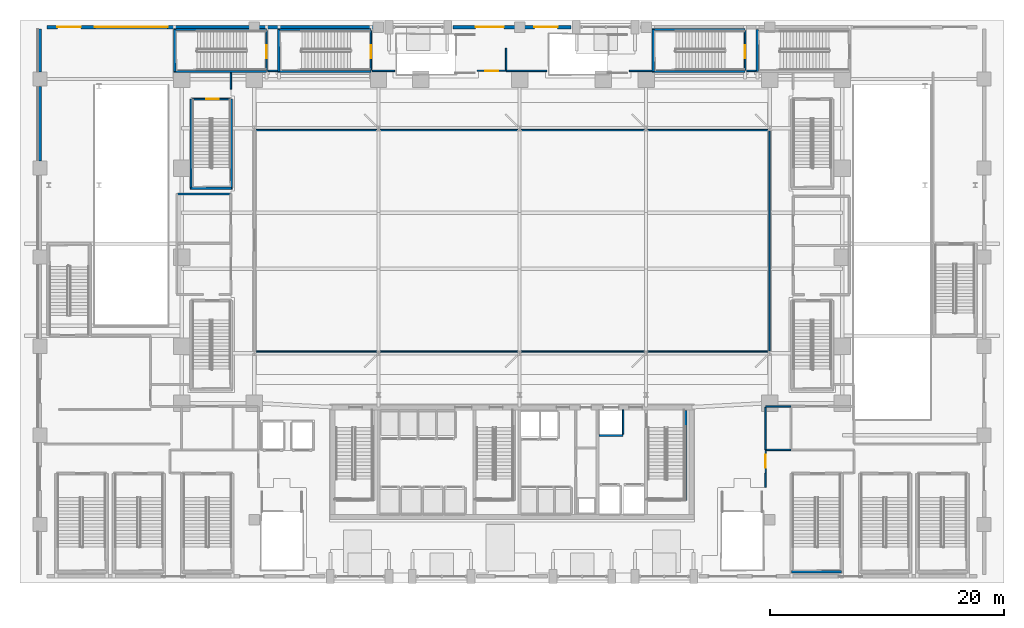
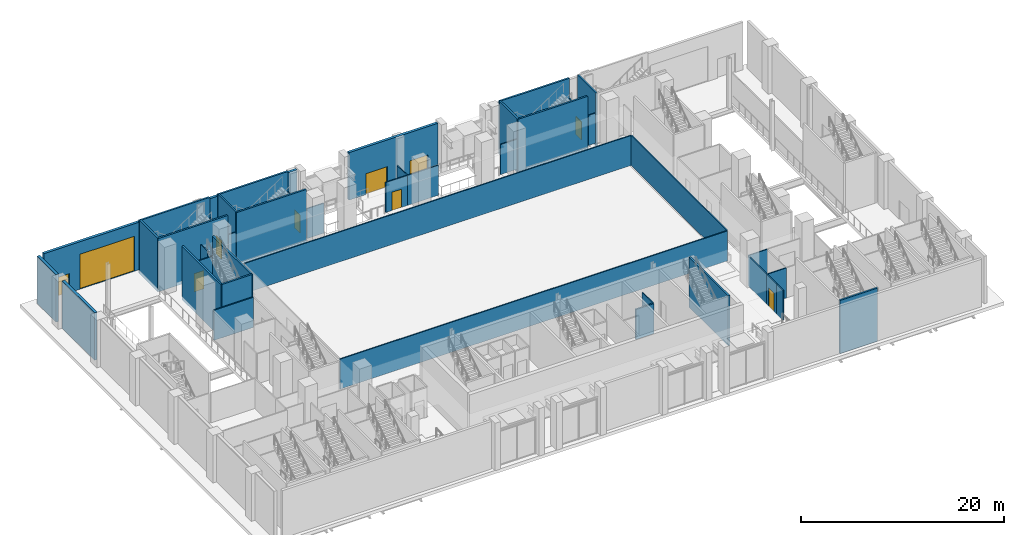
# One storey, part 21 of 36: 42 walls, 10 doors, 10 openings.
"""IFC4 building model written with IfcOpenShell, lengths in metres."""

from ifc_helpers import new_model, si_unit, direction, frame, frame_2d, origin, place, context, subcontext, project, spatial, rectangle, extrude, material, layer, layer_set, type_object, element, fill, save


model = new_model("IFC4")

# Units and contexts
model_context = context("Model", 3, precision=1e-05, world=origin(), true_north=direction((0.0, 1.0)))
body_context = subcontext(model_context, "Body", "Model", "MODEL_VIEW")
ifc_project = project(units=[si_unit("LENGTHUNIT", "METRE"), si_unit("AREAUNIT", "SQUARE_METRE"), si_unit("VOLUMEUNIT", "CUBIC_METRE"), si_unit("PLANEANGLEUNIT", "RADIAN"), si_unit("MASSUNIT", "GRAM", prefix="KILO")], contexts=[model_context])

# Site, building, storey
site_placement = place(None, origin())
site = spatial("IfcSite", under=ifc_project, at=site_placement, CompositionType="ELEMENT")
building_placement = place(site_placement, origin())
building = spatial("IfcBuilding", under=site, at=building_placement, Name="Ndaravel Arena Tower", CompositionType="ELEMENT")
storey_placement = place(building_placement, origin())
storey = spatial("IfcBuildingStorey", under=building, at=storey_placement, Name="L00", CompositionType="ELEMENT", Elevation=0.0)

# Walls
ifc_material_1 = material(Name="Gypsum", Category="gypsum")
ifc_layer_1 = layer(ifc_material_1, 0.125)
ifc_layer_set_1 = layer_set([ifc_layer_1], Name="Gypsum")
wall_type_1 = type_object("IfcWallType", Name="WALL-PART-125", PredefinedType="PARTITIONING", material=ifc_layer_set_1)
wall_1_placement = place(storey_placement, frame((18.0, 42.14990234375, 0.0), z_axis=(0.0, 0.0, 1.0), x_axis=(0.0, 1.0, 0.0)))
element("IfcWall", 1, at=wall_1_placement, inside=storey, type_object=wall_type_1, Name="L00 Interior Partition 011", PredefinedType="PARTITIONING", context=body_context, shape_type="SweptSolid", body=[
    extrude(rectangle(XDim=1.39013671875, YDim=0.125, at=frame_2d((0.695068359375, 0.0))), origin(), (0.0, 0.0, 1.0), 3.60009765625),
])
wall_2_placement = place(storey_placement, frame((21.169921875, 43.699951171875, 0.0), z_axis=(0.0, 0.0, 1.0), x_axis=(1.0, 0.0, 0.0)))
element("IfcWall", 2, at=wall_2_placement, inside=storey, type_object=wall_type_1, Name="L00 Interior Partition 012", PredefinedType="PARTITIONING", context=body_context, shape_type="SweptSolid", body=[
    extrude(rectangle(XDim=0.81005859375, YDim=0.125, at=frame_2d((0.405029296875, 0.0))), origin(), (0.0, 0.0, 1.0), 3.60009765625),
])
wall_3_placement = place(storey_placement, frame((30.070068359375, 43.699951171875, 0.0), z_axis=(0.0, 0.0, 1.0), x_axis=(1.0, 0.0, 0.0)))
element("IfcWall", 3, at=wall_3_placement, inside=storey, type_object=wall_type_1, Name="L00 Interior Partition 013", PredefinedType="PARTITIONING", context=body_context, shape_type="SweptSolid", body=[
    extrude(rectangle(XDim=1.909912109375, YDim=0.125, at=frame_2d((0.955078125, 0.0))), origin(), (0.0, 0.0, 1.0), 3.60009765625),
])

# Wall, opening, door
wall_4_placement = place(storey_placement, frame((39.02001953125, 43.699951171875, 0.0), z_axis=(0.0, 0.0, 1.0), x_axis=(1.0, 0.0, 0.0)))
wall_4 = element("IfcWall", 4, at=wall_4_placement, inside=storey, type_object=wall_type_1, Name="L00 Interior Partition 014", PredefinedType="PARTITIONING", context=body_context, shape_type="SweptSolid", body=[
    extrude(rectangle(XDim=2.47998046875, YDim=0.125, at=frame_2d((1.239990234375, 0.0))), origin(), (0.0, 0.0, 1.0), 3.60009765625),
])
opening_1_placement = place(wall_4_placement, frame((0.68994140625, 0.0, 0.0)))
opening_1 = element("IfcOpeningElement", 5, at=opening_1_placement, cuts=wall_4, Name="Opening FD-01", PredefinedType="OPENING", context=body_context, shape_type="SweptSolid", body=[
    extrude(rectangle(XDim=1.10009765625, YDim=2.199951171875, at=frame_2d((0.550048828125, 1.10009765625))), frame((0.0, 0.0625, 0.0), z_axis=(0.0, -1.0, 0.0), x_axis=(1.0, 0.0, 0.0)), (0.0, 0.0, 1.0), 0.125),
])
ifc_material_2 = material(Name="Steel S355", Category="steel")
door_type_1 = type_object("IfcDoorType", Name="DT-01-STAIR-1100", OperationType="SINGLE_SWING_LEFT", PredefinedType="DOOR", material=ifc_material_2)
door_1_placement = place(opening_1_placement, origin())
door_1 = element("IfcDoor", 6, at=door_1_placement, inside=storey, type_object=door_type_1, Name="L00 Protected Exit Passageway North-Central Door", OperationType="SINGLE_SWING_LEFT", OverallHeight=2.199951171875, OverallWidth=1.10009765625, PredefinedType="DOOR", context=body_context, shape_type="SweptSolid", body=[
    extrude(rectangle(XDim=1.10009765625, YDim=2.199951171875, at=frame_2d((0.550048828125, 1.10009765625))), frame((0.0, 0.02490234375, 0.0), z_axis=(0.0, -1.0, 0.0), x_axis=(1.0, 0.0, 0.0)), (0.0, 0.0, 1.0), 0.050048828125),
])
fill(opening_1, door_1)

# Walls
wall_5_placement = place(storey_placement, frame((41.5, 43.699951171875, 0.0), z_axis=(0.0, 0.0, 1.0), x_axis=(1.0, 0.0, 0.0)))
element("IfcWall", 7, at=wall_5_placement, inside=storey, type_object=wall_type_1, Name="L00 Interior Partition 015", PredefinedType="PARTITIONING", context=body_context, shape_type="SweptSolid", body=[
    extrude(rectangle(XDim=3.47998046875, YDim=0.125, at=frame_2d((1.739990234375, 0.0))), origin(), (0.0, 0.0, 1.0), 3.60009765625),
])
wall_6_placement = place(storey_placement, frame((52.02001953125, 43.699951171875, 0.0), z_axis=(0.0, 0.0, 1.0), x_axis=(1.0, 0.0, 0.0)))
element("IfcWall", 8, at=wall_6_placement, inside=storey, type_object=wall_type_1, Name="L00 Interior Partition 016", PredefinedType="PARTITIONING", context=body_context, shape_type="SweptSolid", body=[
    extrude(rectangle(XDim=1.909912109375, YDim=0.125, at=frame_2d((0.955078125, 0.0))), origin(), (0.0, 0.0, 1.0), 3.60009765625),
])
wall_7_placement = place(storey_placement, frame((62.02001953125, 43.699951171875, 0.0), z_axis=(0.0, 0.0, 1.0), x_axis=(1.0, 0.0, 0.0)))
element("IfcWall", 9, at=wall_7_placement, inside=storey, type_object=wall_type_1, Name="L00 Interior Partition 017", PredefinedType="PARTITIONING", context=body_context, shape_type="SweptSolid", body=[
    extrude(rectangle(XDim=0.81005859375, YDim=0.125, at=frame_2d((0.405029296875, 0.0))), origin(), (0.0, 0.0, 1.0), 3.60009765625),
])
wall_8_placement = place(storey_placement, frame((65.800048828125, 15.050048828125, 0.0), z_axis=(0.0, 0.0, 1.0), x_axis=(-1.0, 0.0, 0.0)))
element("IfcWall", 10, at=wall_8_placement, inside=storey, type_object=wall_type_1, Name="L00 Interior Partition 024", PredefinedType="PARTITIONING", context=body_context, shape_type="SweptSolid", body=[
    extrude(rectangle(XDim=2.150146484375, YDim=0.125, at=frame_2d((1.0751953125, 0.0))), origin(), (0.0, 0.0, 1.0), 3.60009765625),
])
wall_9_placement = place(storey_placement, frame((63.64990234375, 14.985107421875, 0.0), z_axis=(0.0, 0.0, 1.0), x_axis=(0.0, -1.0, 0.0)))
element("IfcWall", 11, at=wall_9_placement, inside=storey, type_object=wall_type_1, Name="L00 Interior Partition 025", PredefinedType="PARTITIONING", context=body_context, shape_type="SweptSolid", body=[
    extrude(rectangle(XDim=3.635009765625, YDim=0.125, at=frame_2d((1.8173828125, 0.0))), origin(), (0.0, 0.0, 1.0), 3.60009765625),
])

# Wall, opening, door
wall_10_placement = place(storey_placement, frame((63.64990234375, 11.35009765625, 0.0), z_axis=(0.0, 0.0, 1.0), x_axis=(0.0, -1.0, 0.0)))
wall_10 = element("IfcWall", 12, at=wall_10_placement, inside=storey, type_object=wall_type_1, Name="L00 Interior Partition 026", PredefinedType="PARTITIONING", context=body_context, shape_type="SweptSolid", body=[
    extrude(rectangle(XDim=1.9501953125, YDim=0.125, at=frame_2d((0.97509765625, 0.0))), origin(), (0.0, 0.0, 1.0), 3.60009765625),
])
opening_2_placement = place(wall_10_placement, frame((0.425048828125, 0.0, 0.0)))
opening_2 = element("IfcOpeningElement", 13, at=opening_2_placement, cuts=wall_10, Name="Opening FD-01", PredefinedType="OPENING", context=body_context, shape_type="SweptSolid", body=[
    extrude(rectangle(XDim=1.10009765625, YDim=2.199951171875, at=frame_2d((0.550048828125, 1.10009765625))), frame((0.0, 0.0625, 0.0), z_axis=(0.0, -1.0, 0.0), x_axis=(1.0, 0.0, 0.0)), (0.0, 0.0, 1.0), 0.125),
])
door_2_placement = place(opening_2_placement, origin())
door_2 = element("IfcDoor", 14, at=door_2_placement, inside=storey, type_object=door_type_1, Name="L00 Protected Exit Passageway South-East Door", OperationType="SINGLE_SWING_LEFT", OverallHeight=2.199951171875, OverallWidth=1.10009765625, PredefinedType="DOOR", context=body_context, shape_type="SweptSolid", body=[
    extrude(rectangle(XDim=1.10009765625, YDim=2.199951171875, at=frame_2d((0.550048828125, 1.10009765625))), frame((0.0, 0.02490234375, 0.0), z_axis=(0.0, -1.0, 0.0), x_axis=(1.0, 0.0, 0.0)), (0.0, 0.0, 1.0), 0.050048828125),
])
fill(opening_2, door_2)

# Walls
wall_11_placement = place(storey_placement, frame((63.64990234375, 9.3701171875, 0.0), z_axis=(0.0, 0.0, 1.0), x_axis=(0.0, -1.0, 0.0)))
element("IfcWall", 15, at=wall_11_placement, inside=storey, type_object=wall_type_1, Name="L00 Interior Partition 027", PredefinedType="PARTITIONING", context=body_context, shape_type="SweptSolid", body=[
    extrude(rectangle(XDim=1.22021484375, YDim=0.125, at=frame_2d((0.610107421875, 0.0))), origin(), (0.0, 0.0, 1.0), 3.60009765625),
])
wall_12_placement = place(storey_placement, frame((63.715087890625, 11.35009765625, 0.0), z_axis=(0.0, 0.0, 1.0), x_axis=(1.0, 0.0, 0.0)))
element("IfcWall", 16, at=wall_12_placement, inside=storey, type_object=wall_type_1, Name="L00 Interior Partition 034", PredefinedType="PARTITIONING", context=body_context, shape_type="SweptSolid", body=[
    extrude(rectangle(XDim=2.0849609375, YDim=0.125, at=frame_2d((1.04248046875, 0.0))), origin(), (0.0, 0.0, 1.0), 3.60009765625),
])
wall_13_placement = place(storey_placement, frame((41.5, 45.64990234375, 0.0), z_axis=(0.0, 0.0, 1.0), x_axis=(0.0, -1.0, 0.0)))
element("IfcWall", 17, at=wall_13_placement, inside=storey, type_object=wall_type_1, Name="L00 Interior Partition 043", PredefinedType="PARTITIONING", context=body_context, shape_type="SweptSolid", body=[
    extrude(rectangle(XDim=1.885009765625, YDim=0.125, at=frame_2d((0.9423828125, 0.0))), origin(), (0.0, 0.0, 1.0), 3.60009765625),
])
wall_14_placement = place(storey_placement, frame((64.0, 19.75, 0.0), z_axis=(0.0, 0.0, 1.0), x_axis=(-1.0, 0.0, 0.0)))
element("IfcWall", 18, at=wall_14_placement, inside=storey, type_object=wall_type_1, Name="L00 Interior Partition 044", PredefinedType="PARTITIONING", context=body_context, shape_type="SweptSolid", body=[
    extrude(rectangle(XDim=44.0, YDim=0.125, at=frame_2d((22.0, 0.0))), origin(), (0.0, 0.0, 1.0), 3.60009765625),
])
wall_15_placement = place(storey_placement, frame((20.06494140625, 38.64990234375, 0.0), z_axis=(0.0, 0.0, 1.0), x_axis=(1.0, 0.0, 0.0)))
element("IfcWall", 19, at=wall_15_placement, inside=storey, type_object=wall_type_1, Name="L00 Interior Partition 046", PredefinedType="PARTITIONING", context=body_context, shape_type="SweptSolid", body=[
    extrude(rectangle(XDim=43.93505859375, YDim=0.125, at=frame_2d((21.967529296875, 0.0))), origin(), (0.0, 0.0, 1.0), 3.60009765625),
])
wall_16_placement = place(storey_placement, frame((64.0, 38.5849609375, 0.0), z_axis=(0.0, 0.0, 1.0), x_axis=(0.0, -1.0, 0.0)))
element("IfcWall", 20, at=wall_16_placement, inside=storey, type_object=wall_type_1, Name="L00 Interior Partition 047", PredefinedType="PARTITIONING", context=body_context, shape_type="SweptSolid", body=[
    extrude(rectangle(XDim=18.77001953125, YDim=0.125, at=frame_2d((9.385009765625, 0.0))), origin(), (0.0, 0.0, 1.0), 3.60009765625),
])

# Wall, openings, doors
ifc_material_3 = material(Name="Masonry", Category="masonry")
ifc_layer_2 = layer(ifc_material_3, 0.300048828125)
ifc_layer_set_2 = layer_set([ifc_layer_2], Name="Masonry")
wall_type_2 = type_object("IfcWallType", Name="WALL-POD-MAZERAS-300", PredefinedType="SOLIDWALL", material=ifc_layer_set_2)
wall_17_placement = place(storey_placement, frame((2.300048828125, 47.449951171875, 0.0), z_axis=(0.0, 0.0, 1.0), x_axis=(1.0, 0.0, 0.0)))
wall_17 = element("IfcWall", 21, at=wall_17_placement, inside=storey, type_object=wall_type_2, Name="L00 North-West Mazeras Wall", PredefinedType="SOLIDWALL", context=body_context, shape_type="SweptSolid", body=[
    extrude(rectangle(XDim=28.75, YDim=0.300048828125, at=frame_2d((14.375, 0.0))), origin(), (0.0, 0.0, 1.0), 5.699951171875),
])
opening_3_placement = place(wall_17_placement, frame((4.10009765625, 0.0, 0.0)))
opening_3 = element("IfcOpeningElement", 22, at=opening_3_placement, cuts=wall_17, Name="Opening RS-01", PredefinedType="OPENING", context=body_context, shape_type="SweptSolid", body=[
    extrude(rectangle(XDim=6.199951171875, YDim=4.199951171875, at=frame_2d((3.10009765625, 2.10009765625))), frame((0.0, 0.14990234375, 0.0), z_axis=(0.0, -1.0, 0.0), x_axis=(1.0, 0.0, 0.0)), (0.0, 0.0, 1.0), 0.300048828125),
])
opening_4_placement = place(wall_17_placement, frame((0.89990234375, 0.0, 0.0)))
opening_4 = element("IfcOpeningElement", 23, at=opening_4_placement, cuts=wall_17, Name="Opening ED-04", PredefinedType="OPENING", context=body_context, shape_type="SweptSolid", body=[
    extrude(rectangle(XDim=2.0, YDim=2.300048828125, at=frame_2d((1.0, 1.14990234375))), frame((0.0, 0.14990234375, 0.0), z_axis=(0.0, -1.0, 0.0), x_axis=(1.0, 0.0, 0.0)), (0.0, 0.0, 1.0), 0.300048828125),
])
ifc_material_4 = material(Name="Aluminium", Category="aluminium")
door_type_2 = type_object("IfcDoorType", Name="ED-EXIT-2000", OperationType="DOUBLE_DOOR_SINGLE_SWING", PredefinedType="DOOR", material=ifc_material_4)
door_3_placement = place(opening_4_placement, origin())
door_3 = element("IfcDoor", 24, at=door_3_placement, inside=storey, type_object=door_type_2, Name="North-West Concourse Discharge Door", OperationType="DOUBLE_DOOR_SINGLE_SWING", OverallHeight=2.300048828125, OverallWidth=2.0, PredefinedType="DOOR", context=body_context, shape_type="SweptSolid", body=[
    extrude(rectangle(XDim=2.0, YDim=2.300048828125, at=frame_2d((1.0, 1.14990234375))), frame((0.0, 0.02490234375, 0.0), z_axis=(0.0, -1.0, 0.0), x_axis=(1.0, 0.0, 0.0)), (0.0, 0.0, 1.0), 0.050048828125),
])
fill(opening_4, door_3)
ifc_material_5 = material(Name="Aluminium", Category="aluminium")
door_type_3 = type_object("IfcDoorType", Name="ED-SHUT-6200", OperationType="ROLLINGUP", PredefinedType="GATE", material=ifc_material_5)
door_4_placement = place(opening_3_placement, origin())
door_4 = element("IfcDoor", 25, at=door_4_placement, inside=storey, type_object=door_type_3, Name="Car Park Ramp R1 Street Roller Shutter", OperationType="ROLLINGUP", OverallHeight=4.199951171875, OverallWidth=6.199951171875, PredefinedType="GATE", context=body_context, shape_type="SweptSolid", body=[
    extrude(rectangle(XDim=6.199951171875, YDim=4.199951171875, at=frame_2d((3.10009765625, 2.10009765625))), frame((0.0, 0.02490234375, 0.0), z_axis=(0.0, -1.0, 0.0), x_axis=(1.0, 0.0, 0.0)), (0.0, 0.0, 1.0), 0.050048828125),
])
fill(opening_3, door_4)

wall_18_placement = place(storey_placement, frame((36.949951171875, 47.449951171875, 0.0), z_axis=(0.0, 0.0, 1.0), x_axis=(1.0, 0.0, 0.0)))
wall_18 = element("IfcWall", 26, at=wall_18_placement, inside=storey, type_object=wall_type_2, Name="L00 North Arena Portal Wall", PredefinedType="SOLIDWALL", context=body_context, shape_type="SweptSolid", body=[
    extrude(rectangle(XDim=10.10009765625, YDim=0.300048828125, at=frame_2d((5.050048828125, 0.0))), origin(), (0.0, 0.0, 1.0), 5.699951171875),
])
opening_5_placement = place(wall_18_placement, frame((1.949951171875, 0.0, 0.0)))
opening_5 = element("IfcOpeningElement", 27, at=opening_5_placement, cuts=wall_18, Name="Opening ED-02", PredefinedType="OPENING", context=body_context, shape_type="SweptSolid", body=[
    extrude(rectangle(XDim=2.39990234375, YDim=2.5, at=frame_2d((1.199951171875, 1.25))), frame((0.0, 0.14990234375, 0.0), z_axis=(0.0, -1.0, 0.0), x_axis=(1.0, 0.0, 0.0)), (0.0, 0.0, 1.0), 0.300048828125),
])
opening_6_placement = place(wall_18_placement, frame((6.949951171875, 0.0, 0.0)))
opening_6 = element("IfcOpeningElement", 28, at=opening_6_placement, cuts=wall_18, Name="Opening ED-04", PredefinedType="OPENING", context=body_context, shape_type="SweptSolid", body=[
    extrude(rectangle(XDim=2.0, YDim=2.300048828125, at=frame_2d((1.0, 1.14990234375))), frame((0.0, 0.14990234375, 0.0), z_axis=(0.0, -1.0, 0.0), x_axis=(1.0, 0.0, 0.0)), (0.0, 0.0, 1.0), 0.300048828125),
])
ifc_material_6 = material(Name="Aluminium", Category="aluminium")
door_type_4 = type_object("IfcDoorType", Name="ED-ARENA-2400", OperationType="DOUBLE_DOOR_SINGLE_SWING", PredefinedType="DOOR", material=ifc_material_6)
door_5_placement = place(opening_5_placement, origin())
door_5 = element("IfcDoor", 29, at=door_5_placement, inside=storey, type_object=door_type_4, Name="North Spectator Plaza Entrance", OperationType="DOUBLE_DOOR_SINGLE_SWING", OverallHeight=2.5, OverallWidth=2.39990234375, PredefinedType="DOOR", context=body_context, shape_type="SweptSolid", body=[
    extrude(rectangle(XDim=2.39990234375, YDim=2.5, at=frame_2d((1.199951171875, 1.25))), frame((0.0, 0.02490234375, 0.0), z_axis=(0.0, -1.0, 0.0), x_axis=(1.0, 0.0, 0.0)), (0.0, 0.0, 1.0), 0.050048828125),
])
fill(opening_5, door_5)
door_6_placement = place(opening_6_placement, origin())
door_6 = element("IfcDoor", 30, at=door_6_placement, inside=storey, type_object=door_type_2, Name="North Concourse Plaza Exit Door", OperationType="DOUBLE_DOOR_SINGLE_SWING", OverallHeight=2.300048828125, OverallWidth=2.0, PredefinedType="DOOR", context=body_context, shape_type="SweptSolid", body=[
    extrude(rectangle(XDim=2.0, YDim=2.300048828125, at=frame_2d((1.0, 1.14990234375))), frame((0.0, 0.02490234375, 0.0), z_axis=(0.0, -1.0, 0.0), x_axis=(1.0, 0.0, 0.0)), (0.0, 0.0, 1.0), 0.050048828125),
])
fill(opening_6, door_6)

# Walls
wall_19_placement = place(storey_placement, frame((1.699951171875, 36.02001953125, 0.0), z_axis=(0.0, 0.0, 1.0), x_axis=(0.0, 1.0, 0.0)))
element("IfcWall", 31, at=wall_19_placement, inside=storey, type_object=wall_type_2, Name="L00 West Mazeras Bay 6", PredefinedType="SOLIDWALL", context=body_context, shape_type="SweptSolid", body=[
    extrude(rectangle(XDim=6.35986328125, YDim=0.300048828125, at=frame_2d((3.179931640625, 0.0))), origin(), (0.0, 0.0, 1.0), 5.699951171875),
])
wall_20_placement = place(storey_placement, frame((1.699951171875, 43.60009765625, 0.0), z_axis=(0.0, 0.0, 1.0), x_axis=(0.0, 1.0, 0.0)))
element("IfcWall", 32, at=wall_20_placement, inside=storey, type_object=wall_type_2, Name="L00 West Mazeras Bay 7", PredefinedType="SOLIDWALL", context=body_context, shape_type="SweptSolid", body=[
    extrude(rectangle(XDim=3.699951171875, YDim=0.300048828125, at=frame_2d((1.85009765625, 0.0))), origin(), (0.0, 0.0, 1.0), 5.699951171875),
])

# Wall, opening, door
ifc_material_7 = material(Name="Concrete C40/50", Category="concrete")
ifc_layer_3 = layer(ifc_material_7, 0.1201171875)
ifc_layer_set_3 = layer_set([ifc_layer_3], Name="Concrete C40/50")
wall_type_3 = type_object("IfcWallType", Name="WALL-SHAFT-120", PredefinedType="SOLIDWALL", material=ifc_layer_set_3)
wall_21_placement = place(storey_placement, frame((21.050048828125, 47.135009765625, 0.0), z_axis=(0.0, 0.0, 1.0), x_axis=(0.0, -1.0, 0.0)))
wall_21 = element("IfcWall", 33, at=wall_21_placement, inside=storey, type_object=wall_type_3, Name="L00 ST-A08 Entry Wall", PredefinedType="SOLIDWALL", context=body_context, shape_type="SweptSolid", body=[
    extrude(rectangle(XDim=3.3701171875, YDim=0.1201171875, at=frame_2d((1.68505859375, 0.0))), origin(), (0.0, 0.0, 1.0), 3.60009765625),
])
opening_7_placement = place(wall_21_placement, frame((1.239990234375, 0.0, 0.0)))
opening_7 = element("IfcOpeningElement", 34, at=opening_7_placement, cuts=wall_21, Name="Opening FD-01", PredefinedType="OPENING", context=body_context, shape_type="SweptSolid", body=[
    extrude(rectangle(XDim=1.10009765625, YDim=2.199951171875, at=frame_2d((0.550048828125, 1.10009765625))), frame((0.0, 0.06005859375, 0.0), z_axis=(0.0, -1.0, 0.0), x_axis=(1.0, 0.0, 0.0)), (0.0, 0.0, 1.0), 0.1201171875),
])
door_7_placement = place(opening_7_placement, origin())
door_7 = element("IfcDoor", 35, at=door_7_placement, inside=storey, type_object=door_type_1, Name="L00 ST-A08 Fire Exit Stair Door", OperationType="SINGLE_SWING_LEFT", OverallHeight=2.199951171875, OverallWidth=1.10009765625, PredefinedType="DOOR", context=body_context, shape_type="SweptSolid", body=[
    extrude(rectangle(XDim=1.10009765625, YDim=2.199951171875, at=frame_2d((0.550048828125, 1.10009765625))), frame((0.0, 0.02490234375, 0.0), z_axis=(0.0, -1.0, 0.0), x_axis=(1.0, 0.0, 0.0)), (0.0, 0.0, 1.0), 0.050048828125),
])
fill(opening_7, door_7)

wall_22_placement = place(storey_placement, frame((29.949951171875, 47.135009765625, 0.0), z_axis=(0.0, 0.0, 1.0), x_axis=(0.0, -1.0, 0.0)))
wall_22 = element("IfcWall", 36, at=wall_22_placement, inside=storey, type_object=wall_type_3, Name="L00 ST-A09 Entry Wall", PredefinedType="SOLIDWALL", context=body_context, shape_type="SweptSolid", body=[
    extrude(rectangle(XDim=3.3701171875, YDim=0.1201171875, at=frame_2d((1.68505859375, 0.0))), origin(), (0.0, 0.0, 1.0), 3.60009765625),
])
opening_8_placement = place(wall_22_placement, frame((1.239990234375, 0.0, 0.0)))
opening_8 = element("IfcOpeningElement", 37, at=opening_8_placement, cuts=wall_22, Name="Opening FD-01", PredefinedType="OPENING", context=body_context, shape_type="SweptSolid", body=[
    extrude(rectangle(XDim=1.10009765625, YDim=2.199951171875, at=frame_2d((0.550048828125, 1.10009765625))), frame((0.0, 0.06005859375, 0.0), z_axis=(0.0, -1.0, 0.0), x_axis=(1.0, 0.0, 0.0)), (0.0, 0.0, 1.0), 0.1201171875),
])
door_8_placement = place(opening_8_placement, origin())
door_8 = element("IfcDoor", 38, at=door_8_placement, inside=storey, type_object=door_type_1, Name="L00 ST-A09 Fire Exit Stair Door", OperationType="SINGLE_SWING_LEFT", OverallHeight=2.199951171875, OverallWidth=1.10009765625, PredefinedType="DOOR", context=body_context, shape_type="SweptSolid", body=[
    extrude(rectangle(XDim=1.10009765625, YDim=2.199951171875, at=frame_2d((0.550048828125, 1.10009765625))), frame((0.0, 0.02490234375, 0.0), z_axis=(0.0, -1.0, 0.0), x_axis=(1.0, 0.0, 0.0)), (0.0, 0.0, 1.0), 0.050048828125),
])
fill(opening_8, door_8)

wall_23_placement = place(storey_placement, frame((61.89990234375, 47.135009765625, 0.0), z_axis=(0.0, 0.0, 1.0), x_axis=(0.0, -1.0, 0.0)))
wall_23 = element("IfcWall", 39, at=wall_23_placement, inside=storey, type_object=wall_type_3, Name="L00 ST-A10 Entry Wall", PredefinedType="SOLIDWALL", context=body_context, shape_type="SweptSolid", body=[
    extrude(rectangle(XDim=3.3701171875, YDim=0.1201171875, at=frame_2d((1.68505859375, 0.0))), origin(), (0.0, 0.0, 1.0), 3.60009765625),
])
opening_9_placement = place(wall_23_placement, frame((1.239990234375, 0.0, 0.0)))
opening_9 = element("IfcOpeningElement", 40, at=opening_9_placement, cuts=wall_23, Name="Opening FD-01", PredefinedType="OPENING", context=body_context, shape_type="SweptSolid", body=[
    extrude(rectangle(XDim=1.10009765625, YDim=2.199951171875, at=frame_2d((0.550048828125, 1.10009765625))), frame((0.0, 0.06005859375, 0.0), z_axis=(0.0, -1.0, 0.0), x_axis=(1.0, 0.0, 0.0)), (0.0, 0.0, 1.0), 0.1201171875),
])
door_9_placement = place(opening_9_placement, origin())
door_9 = element("IfcDoor", 41, at=door_9_placement, inside=storey, type_object=door_type_1, Name="L00 ST-A10 Fire Exit Stair Door", OperationType="SINGLE_SWING_LEFT", OverallHeight=2.199951171875, OverallWidth=1.10009765625, PredefinedType="DOOR", context=body_context, shape_type="SweptSolid", body=[
    extrude(rectangle(XDim=1.10009765625, YDim=2.199951171875, at=frame_2d((0.550048828125, 1.10009765625))), frame((0.0, 0.02490234375, 0.0), z_axis=(0.0, -1.0, 0.0), x_axis=(1.0, 0.0, 0.0)), (0.0, 0.0, 1.0), 0.050048828125),
])
fill(opening_9, door_9)

wall_24_placement = place(storey_placement, frame((14.705078125, 41.300048828125, 0.0), z_axis=(0.0, 0.0, 1.0), x_axis=(1.0, 0.0, 0.0)))
wall_24 = element("IfcWall", 42, at=wall_24_placement, inside=storey, type_object=wall_type_3, Name="L00 ST-VOM-2 Entry Wall", PredefinedType="SOLIDWALL", context=body_context, shape_type="SweptSolid", body=[
    extrude(rectangle(XDim=3.25, YDim=0.1201171875, at=frame_2d((1.625, 0.0))), origin(), (0.0, 0.0, 1.0), 3.60009765625),
])
opening_10_placement = place(wall_24_placement, frame((1.179931640625, 0.0, 0.0)))
opening_10 = element("IfcOpeningElement", 43, at=opening_10_placement, cuts=wall_24, Name="Opening FD-01", PredefinedType="OPENING", context=body_context, shape_type="SweptSolid", body=[
    extrude(rectangle(XDim=1.10009765625, YDim=2.199951171875, at=frame_2d((0.550048828125, 1.10009765625))), frame((0.0, 0.06005859375, 0.0), z_axis=(0.0, -1.0, 0.0), x_axis=(1.0, 0.0, 0.0)), (0.0, 0.0, 1.0), 0.1201171875),
])
door_10_placement = place(opening_10_placement, origin())
door_10 = element("IfcDoor", 44, at=door_10_placement, inside=storey, type_object=door_type_1, Name="L00 ST-VOM-2 Fire Exit Stair Door", OperationType="SINGLE_SWING_LEFT", OverallHeight=2.199951171875, OverallWidth=1.10009765625, PredefinedType="DOOR", context=body_context, shape_type="SweptSolid", body=[
    extrude(rectangle(XDim=1.10009765625, YDim=2.199951171875, at=frame_2d((0.550048828125, 1.10009765625))), frame((0.0, 0.02490234375, 0.0), z_axis=(0.0, -1.0, 0.0), x_axis=(1.0, 0.0, 0.0)), (0.0, 0.0, 1.0), 0.050048828125),
])
fill(opening_10, door_10)

# Walls
wall_25_placement = place(storey_placement, frame((51.47998046875, 12.68994140625, 0.0), z_axis=(0.0, 0.0, 1.0), x_axis=(0.0, 1.0, 0.0)))
element("IfcWall", 45, at=wall_25_placement, inside=storey, type_object=wall_type_3, Name="L00 SVL-1 Shaft E Wall", PredefinedType="SOLIDWALL", context=body_context, shape_type="SweptSolid", body=[
    extrude(rectangle(XDim=2.070068359375, YDim=0.1201171875, at=frame_2d((1.03515625, 0.0))), origin(), (0.0, 0.0, 1.0), 3.60009765625),
])
ifc_material_8 = material(Name="Concrete C40/50", Category="concrete")
ifc_layer_4 = layer(ifc_material_8, 0.199951171875)
ifc_layer_set_4 = layer_set([ifc_layer_4], Name="Concrete C40/50")
wall_type_4 = type_object("IfcWallType", Name="WALL-SHAFT-200", PredefinedType="SOLIDWALL", material=ifc_layer_set_4)
wall_26_placement = place(storey_placement, frame((56.840087890625, 14.699951171875, 0.0), z_axis=(0.0, 0.0, 1.0), x_axis=(0.0, -1.0, 0.0)))
element("IfcWall", 46, at=wall_26_placement, inside=storey, type_object=wall_type_4, Name="L00 ST-3 Structural Shaft Wall Right", PredefinedType="SOLIDWALL", context=body_context, shape_type="SweptSolid", body=[
    extrude(rectangle(XDim=7.64990234375, YDim=0.199951171875, at=frame_2d((3.824951171875, 0.0))), origin(), (0.0, 0.0, 1.0), 6.0),
])
wall_27_placement = place(storey_placement, frame((65.860107421875, 0.949951171875, -0.39990234375), z_axis=(0.0, 0.0, 1.0), x_axis=(1.0, 0.0, 0.0)))
element("IfcWall", 47, at=wall_27_placement, inside=storey, type_object=wall_type_4, Name="L00 ST-A04 Shaft Wall Far", PredefinedType="SOLIDWALL", context=body_context, shape_type="SweptSolid", body=[
    extrude(rectangle(XDim=4.27978515625, YDim=0.199951171875, at=frame_2d((2.139892578125, 0.0))), origin(), (0.0, 0.0, 1.0), 6.39990234375),
])
for number, where, z_axis, x_axis, name in (
    (48, (21.050048828125, 47.239990234375, -0.39990234375), (0.0, 0.0, 1.0), (-1.0, 0.0, 0.0), "L00 ST-A08 Shaft Wall Left"),
    (49, (21.050048828125, 43.659912109375, -0.39990234375), (0.0, 0.0, 1.0), (-1.0, 0.0, 0.0), "L00 ST-A08 Shaft Wall Right"),
):
    element("IfcWall", number, at=place(storey_placement, frame(where, z_axis=z_axis, x_axis=x_axis)), inside=storey, type_object=wall_type_4, Name=name, PredefinedType="SOLIDWALL", context=body_context, shape_type="SweptSolid", body=[
        extrude(rectangle(XDim=7.949951171875, YDim=0.199951171875, at=frame_2d((3.97509765625, 0.0))), origin(), (0.0, 0.0, 1.0), 6.39990234375),
    ])
wall_28_placement = place(storey_placement, frame((13.199951171875, 47.22998046875, -0.39990234375), z_axis=(0.0, 0.0, 1.0), x_axis=(0.0, -1.0, 0.0)))
element("IfcWall", 50, at=wall_28_placement, inside=storey, type_object=wall_type_4, Name="L00 ST-A08 Shaft Wall Far", PredefinedType="SOLIDWALL", context=body_context, shape_type="SweptSolid", body=[
    extrude(rectangle(XDim=3.56005859375, YDim=0.199951171875, at=frame_2d((1.780029296875, 0.0))), origin(), (0.0, 0.0, 1.0), 6.39990234375),
])
for number, where, z_axis, x_axis, name in (
    (51, (29.949951171875, 47.239990234375, -0.39990234375), (0.0, 0.0, 1.0), (-1.0, 0.0, 0.0), "L00 ST-A09 Shaft Wall Left"),
    (52, (29.949951171875, 43.659912109375, -0.39990234375), (0.0, 0.0, 1.0), (-1.0, 0.0, 0.0), "L00 ST-A09 Shaft Wall Right"),
):
    element("IfcWall", number, at=place(storey_placement, frame(where, z_axis=z_axis, x_axis=x_axis)), inside=storey, type_object=wall_type_4, Name=name, PredefinedType="SOLIDWALL", context=body_context, shape_type="SweptSolid", body=[
        extrude(rectangle(XDim=7.949951171875, YDim=0.199951171875, at=frame_2d((3.97509765625, 0.0))), origin(), (0.0, 0.0, 1.0), 6.39990234375),
    ])
wall_29_placement = place(storey_placement, frame((22.10009765625, 47.22998046875, -0.39990234375), z_axis=(0.0, 0.0, 1.0), x_axis=(0.0, -1.0, 0.0)))
element("IfcWall", 53, at=wall_29_placement, inside=storey, type_object=wall_type_4, Name="L00 ST-A09 Shaft Wall Far", PredefinedType="SOLIDWALL", context=body_context, shape_type="SweptSolid", body=[
    extrude(rectangle(XDim=3.56005859375, YDim=0.199951171875, at=frame_2d((1.780029296875, 0.0))), origin(), (0.0, 0.0, 1.0), 6.39990234375),
])
for number, where, z_axis, x_axis, name in (
    (54, (61.89990234375, 47.239990234375, -0.39990234375), (0.0, 0.0, 1.0), (-1.0, 0.0, 0.0), "L00 ST-A10 Shaft Wall Left"),
    (55, (61.89990234375, 43.659912109375, -0.39990234375), (0.0, 0.0, 1.0), (-1.0, 0.0, 0.0), "L00 ST-A10 Shaft Wall Right"),
):
    element("IfcWall", number, at=place(storey_placement, frame(where, z_axis=z_axis, x_axis=x_axis)), inside=storey, type_object=wall_type_4, Name=name, PredefinedType="SOLIDWALL", context=body_context, shape_type="SweptSolid", body=[
        extrude(rectangle(XDim=7.949951171875, YDim=0.199951171875, at=frame_2d((3.97509765625, 0.0))), origin(), (0.0, 0.0, 1.0), 6.39990234375),
    ])
for number, where, z_axis, x_axis, name in (
    (56, (54.050048828125, 47.22998046875, -0.39990234375), (0.0, 0.0, 1.0), (0.0, -1.0, 0.0), "L00 ST-A10 Shaft Wall Far"),
    (57, (62.949951171875, 47.22998046875, -0.39990234375), (0.0, 0.0, 1.0), (0.0, -1.0, 0.0), "L00 ST-A11 Shaft Wall Far"),
):
    element("IfcWall", number, at=place(storey_placement, frame(where, z_axis=z_axis, x_axis=x_axis)), inside=storey, type_object=wall_type_4, Name=name, PredefinedType="SOLIDWALL", context=body_context, shape_type="SweptSolid", body=[
        extrude(rectangle(XDim=3.56005859375, YDim=0.199951171875, at=frame_2d((1.780029296875, 0.0))), origin(), (0.0, 0.0, 1.0), 6.39990234375),
    ])
for number, where, z_axis, x_axis, name in (
    (58, (14.60009765625, 41.300048828125, -0.39990234375), (0.0, 0.0, 1.0), (0.0, -1.0, 0.0), "L00 ST-VOM-2 Shaft Wall Left"),
    (59, (18.06005859375, 41.300048828125, -0.39990234375), (0.0, 0.0, 1.0), (0.0, -1.0, 0.0), "L00 ST-VOM-2 Shaft Wall Right"),
):
    element("IfcWall", number, at=place(storey_placement, frame(where, z_axis=z_axis, x_axis=x_axis)), inside=storey, type_object=wall_type_4, Name=name, PredefinedType="SOLIDWALL", context=body_context, shape_type="SweptSolid", body=[
        extrude(rectangle(XDim=7.699951171875, YDim=0.199951171875, at=frame_2d((3.85009765625, 0.0))), origin(), (0.0, 0.0, 1.0), 6.39990234375),
    ])
wall_30_placement = place(storey_placement, frame((14.610107421875, 33.699951171875, -0.39990234375), z_axis=(0.0, 0.0, 1.0), x_axis=(1.0, 0.0, 0.0)))
element("IfcWall", 60, at=wall_30_placement, inside=storey, type_object=wall_type_4, Name="L00 ST-VOM-2 Shaft Wall Far", PredefinedType="SOLIDWALL", context=body_context, shape_type="SweptSolid", body=[
    extrude(rectangle(XDim=3.43994140625, YDim=0.199951171875, at=frame_2d((1.719970703125, 0.0))), origin(), (0.0, 0.0, 1.0), 6.39990234375),
])
wall_31_placement = place(storey_placement, frame((49.43994140625, 12.594970703125, 0.0), z_axis=(0.0, 0.0, 1.0), x_axis=(1.0, 0.0, 0.0)))
element("IfcWall", 61, at=wall_31_placement, inside=storey, type_object=wall_type_4, Name="L00 SVL-1 Shaft South Wall", PredefinedType="SOLIDWALL", context=body_context, shape_type="SweptSolid", body=[
    extrude(rectangle(XDim=2.0400390625, YDim=0.179931640625, at=frame_2d((1.02001953125, 0.0))), origin(), (0.0, 0.0, 1.0), 3.60009765625),
])
ifc_material_9 = material(Name="Masonry", Category="masonry")
ifc_layer_5 = layer(ifc_material_9, 0.14990234375)
ifc_layer_set_5 = layer_set([ifc_layer_5], Name="Masonry")
wall_type_5 = type_object("IfcWallType", Name="WALL-WET-150", PredefinedType="PARTITIONING", material=ifc_layer_set_5)
wall_32_placement = place(storey_placement, frame((13.465087890625, 33.199951171875, 0.0), z_axis=(0.0, 0.0, 1.0), x_axis=(1.0, 0.0, 0.0)))
element("IfcWall", 62, at=wall_32_placement, inside=storey, type_object=wall_type_5, Name="L00 Interior Partition 063", PredefinedType="PARTITIONING", context=body_context, shape_type="SweptSolid", body=[
    extrude(rectangle(XDim=4.469970703125, YDim=0.14990234375, at=frame_2d((2.23486328125, 0.0))), origin(), (0.0, 0.0, 1.0), 3.60009765625),
])

save(model, "model.ifc")
